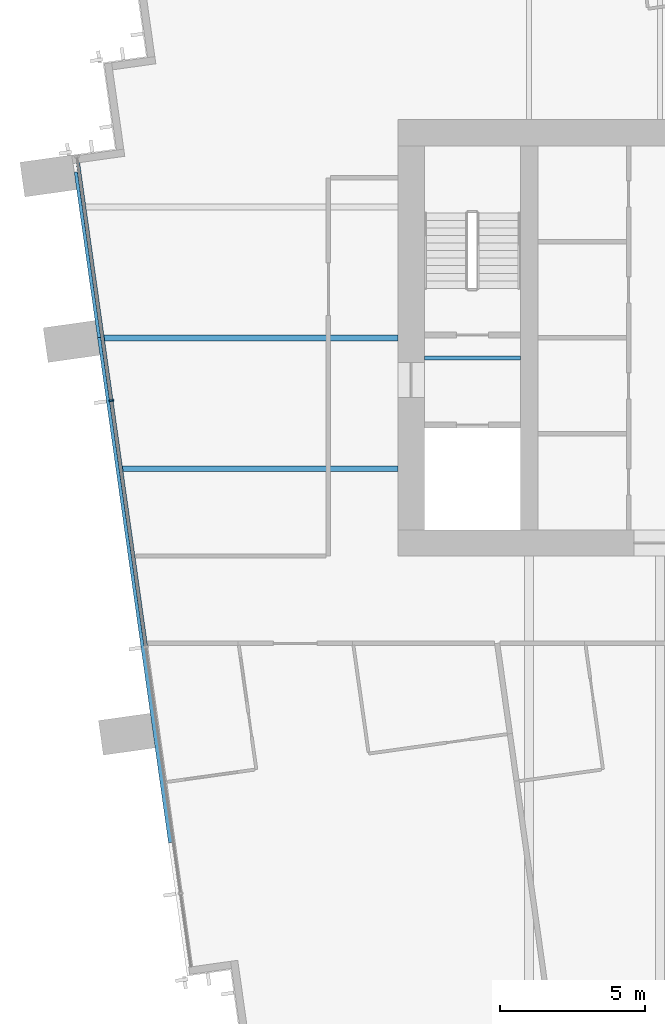
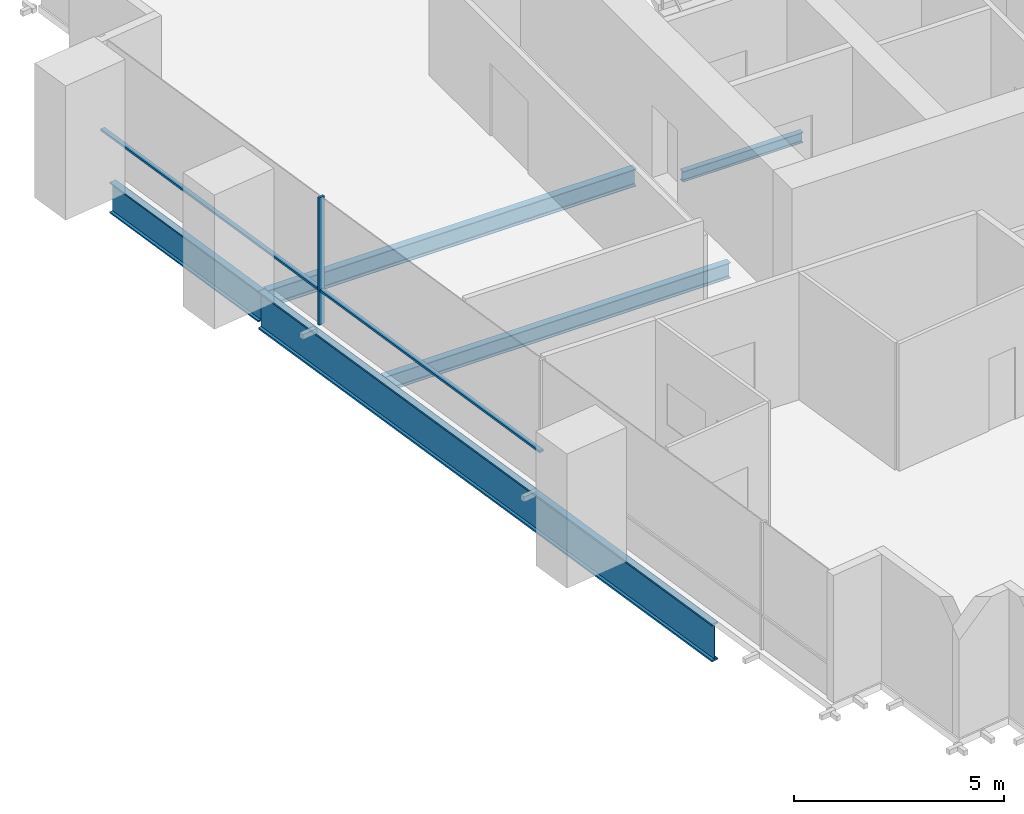
# One storey, part 3 of 14: 5 beams, 3 members, 1 element without a shape of its own.
"""IFC4 building model written with IfcOpenShell, lengths in metres."""

import ifcopenshell
import ifcopenshell.guid

model = None  # the IFC model being written
_history = None  # IfcOwnerHistory: only IFC2X3 demands one
_inside = {}  # id of a spatial element -> (the spatial element, [elements in it])
_under = {}  # id of a project, library or spatial element -> (it, [spatial elements below it])
_declared = {}  # id of a project -> (the project, [libraries it declares])
_typed = {}  # id of a type object -> (the type object, [elements of that type])
_made_of = {}  # id of a material, layer set ... -> (it, [elements and type objects made of it])


def new_model(schema):
    """Start an empty IFC model of exactly this schema.

    Asked for "IFC4X3", IfcOpenShell would pick the latest addendum, in which some entities
    have other attributes; the version numbers below select the first issue.
    IFC2X3 requires an IfcOwnerHistory on every rooted entity: one is made here for all.
    """
    global model, _history
    if schema == "IFC4X3":
        model = ifcopenshell.file(schema_version=(4, 3, 0, 0))
    else:
        model = ifcopenshell.file(schema=schema)
    _inside.clear()
    _under.clear()
    _declared.clear()
    _typed.clear()
    _made_of.clear()
    _history = None
    if model.schema == "IFC2X3":
        org = make("IfcOrganization", Name="unknown")
        user = make(
            "IfcPersonAndOrganization",
            ThePerson=make("IfcPerson", FamilyName="unknown"),
            TheOrganization=org,
        )
        app = make(
            "IfcApplication",
            ApplicationDeveloper=org,
            Version="unknown",
            ApplicationFullName="unknown",
            ApplicationIdentifier="unknown",
        )
        _history = make(
            "IfcOwnerHistory",
            OwningUser=user,
            OwningApplication=app,
            ChangeAction="ADDED",
            CreationDate=0,
        )
    return model


def make(cls, **values):
    """One entity of the class cls with the attributes given. An attribute that is None is left unset."""
    return model.create_entity(
        cls, **{name: value for name, value in values.items() if value is not None}
    )


def rooted(cls, **values):
    """An entity with a GlobalId (a new one), such as an element, a storey or a relation."""
    return make(cls, GlobalId=ifcopenshell.guid.new(), OwnerHistory=_history, **values)


def si_unit(unit_type, name, prefix=None):
    """IfcSIUnit, for example si_unit("LENGTHUNIT", "METRE", prefix="MILLI")."""
    return make("IfcSIUnit", UnitType=unit_type, Prefix=prefix, Name=name)


def assignment(units):
    """IfcUnitAssignment: the units of a project."""
    return None if units is None else make("IfcUnitAssignment", Units=units)


def point(xyz):
    """IfcCartesianPoint."""
    return None if xyz is None else make("IfcCartesianPoint", Coordinates=xyz)


def direction(xyz):
    """IfcDirection."""
    return None if xyz is None else make("IfcDirection", DirectionRatios=xyz)


def frame(location, z_axis=None, x_axis=None):
    """IfcAxis2Placement3D, a coordinate frame: its origin and axes. An axis left out is left unset."""
    return make(
        "IfcAxis2Placement3D",
        Location=point(location),
        Axis=direction(z_axis),
        RefDirection=direction(x_axis),
    )


def frame_2d(location, x_axis=None):
    """IfcAxis2Placement2D, a coordinate frame in the plane: its origin and x axis."""
    return make(
        "IfcAxis2Placement2D", Location=point(location), RefDirection=direction(x_axis)
    )


def origin():
    """The frame at (0, 0, 0) with its axes left unset."""
    return frame((0.0, 0.0, 0.0))


def origin_2d():
    """The frame at (0, 0) in the plane with its x axis left unset."""
    return frame_2d((0.0, 0.0))


def place(relative_to, where):
    """IfcLocalPlacement: puts the frame where relative to a parent placement (None: the world)."""
    return make(
        "IfcLocalPlacement", PlacementRelTo=relative_to, RelativePlacement=where
    )


def context(
    kind, dimensions, precision=None, world=None, true_north=None, identifier=None
):
    """IfcGeometricRepresentationContext, for example the 3D "Model" context."""
    return make(
        "IfcGeometricRepresentationContext",
        ContextIdentifier=identifier,
        ContextType=kind,
        CoordinateSpaceDimension=dimensions,
        Precision=precision,
        WorldCoordinateSystem=world,
        TrueNorth=true_north,
    )


def subcontext(parent, identifier, kind, view, scale=None):
    """IfcGeometricRepresentationSubContext, for example "Body" below "Model"."""
    return make(
        "IfcGeometricRepresentationSubContext",
        ContextIdentifier=identifier,
        ContextType=kind,
        ParentContext=parent,
        TargetScale=scale,
        TargetView=view,
    )


def project(units=None, contexts=None):
    """IfcProject with its units and contexts."""
    return rooted(
        "IfcProject",
        Name="project",
        RepresentationContexts=contexts,
        UnitsInContext=assignment(units),
    )


def spatial(cls, under=None, at=None, **own):
    """A site, building, storey or space (cls), placed at a placement, below another one or the project."""
    s = rooted(cls, ObjectPlacement=at, **own)
    if under is not None:
        _under.setdefault(under.id(), (under, []))[1].append(s)
    return s


def profile(cls, at=None, kind="AREA", **sizes):
    """A parametric profile (cls). Its sizes go by their IFC names, for example OverallWidth=200.0."""
    return make(cls, ProfileType=kind, Position=at, **sizes)


def rectangle(**sizes):
    """IfcRectangleProfileDef."""
    return profile("IfcRectangleProfileDef", **sizes)


def i_section(**sizes):
    """IfcIShapeProfileDef."""
    return profile("IfcIShapeProfileDef", **sizes)


def extrude(swept, where, along, depth):
    """IfcExtrudedAreaSolid: the profile swept, set in the frame where, extruded along a direction by depth."""
    return make(
        "IfcExtrudedAreaSolid",
        SweptArea=swept,
        Position=where,
        ExtrudedDirection=direction(along),
        Depth=depth,
    )


def shape(context_of_items, identifier, shape_type, items):
    """IfcShapeRepresentation: the items that make up one representation, for example the "Body"."""
    return make(
        "IfcShapeRepresentation",
        ContextOfItems=context_of_items,
        RepresentationIdentifier=identifier,
        RepresentationType=shape_type,
        Items=items,
    )


def material(Name=None, Category=None):
    """IfcMaterial."""
    return make("IfcMaterial", Name=Name, Category=Category)


def material_profile(
    of_material, cross_section, Name=None, Category=None, Priority=None
):
    """IfcMaterialProfile: a cross section and its material."""
    return make(
        "IfcMaterialProfile",
        Name=Name,
        Material=of_material,
        Profile=cross_section,
        Priority=Priority,
        Category=Category,
    )


def profile_set(profiles, Name=None, composite=None):
    """IfcMaterialProfileSet."""
    return make(
        "IfcMaterialProfileSet",
        Name=Name,
        MaterialProfiles=profiles,
        CompositeProfile=composite,
    )


def made_of(thing, what):
    """Note that an element or type object is made of a material, layer set ...; save() writes the relation."""
    if what is not None:
        _made_of.setdefault(what.id(), (what, []))[1].append(thing)
    return thing


def type_object(cls, material=None, **own):
    """A type object (cls), such as IfcWallType, which elements share."""
    return made_of(rooted(cls, **own), material)


def element(
    cls,
    number,
    at=None,
    inside=None,
    cuts=None,
    type_object=None,
    material=None,
    context=None,
    identifier="Body",
    shape_type=None,
    held_by="IfcProductDefinitionShape",
    body=None,
    shapes=None,
    **own,
):
    """One element of the class cls, such as IfcWall. Its Tag is "e" and its number.

    at: its placement. inside: the storey or other place that contains it. cuts: it is an
    opening in that element (IfcRelVoidsElement). A single representation is given by context,
    identifier, shape_type and body (its items); several are given by shapes. held_by: the class
    of the entity that holds the representations. save() writes the other relations.
    """
    e = rooted(cls, Tag="e%d" % number, ObjectPlacement=at, **own)
    if body is not None:
        shapes = [shape(context, identifier, shape_type, body)]
    if shapes is not None:
        e.Representation = make(held_by, Representations=shapes)
    if inside is not None:
        _inside.setdefault(inside.id(), (inside, []))[1].append(e)
    if cuts is not None:
        rooted(
            "IfcRelVoidsElement", RelatingBuildingElement=cuts, RelatedOpeningElement=e
        )
    if type_object is not None:
        _typed.setdefault(type_object.id(), (type_object, []))[1].append(e)
    return made_of(e, material)


def aggregate(whole, parts):
    """IfcRelAggregates: a whole, such as a stair, and the parts it consists of."""
    return rooted("IfcRelAggregates", RelatingObject=whole, RelatedObjects=parts)


def save(model, path):
    """Write the relations noted so far, then the file.

    IfcRelAggregates (storeys below a building ...), IfcRelContainedInSpatialStructure (elements
    in a storey), IfcRelDefinesByType, IfcRelAssociatesMaterial and IfcRelDeclares: one each for
    every whole, place, type object, material and project.
    """
    for whole, parts in _under.values():
        aggregate(whole, parts)
    for where, things in _inside.values():
        rooted(
            "IfcRelContainedInSpatialStructure",
            RelatedElements=things,
            RelatingStructure=where,
        )
    for kind, things in _typed.values():
        rooted("IfcRelDefinesByType", RelatedObjects=things, RelatingType=kind)
    for what, things in _made_of.values():
        rooted("IfcRelAssociatesMaterial", RelatedObjects=things, RelatingMaterial=what)
    for by, libraries in _declared.values():
        rooted("IfcRelDeclares", RelatingContext=by, RelatedDefinitions=libraries)
    model.write(path)


model = new_model("IFC4")

# Units and contexts
model_context = context("Model", 3, precision=1e-05, world=origin(), true_north=direction((0.0, 1.0)))
body_context = subcontext(model_context, "Body", "Model", "MODEL_VIEW")
ifc_project = project(units=[si_unit("LENGTHUNIT", "METRE"), si_unit("AREAUNIT", "SQUARE_METRE"), si_unit("VOLUMEUNIT", "CUBIC_METRE"), si_unit("PLANEANGLEUNIT", "RADIAN"), si_unit("MASSUNIT", "GRAM", prefix="KILO")], contexts=[model_context])

# Site, building, storey
site_placement = place(None, origin())
site = spatial("IfcSite", under=ifc_project, at=site_placement, CompositionType="ELEMENT")
building_placement = place(site_placement, origin())
building = spatial("IfcBuilding", under=site, at=building_placement, Name="Rattan Terrace Tower", CompositionType="ELEMENT")
storey_placement = place(building_placement, frame((0.0, 0.0, 172.39990234375)))
storey = spatial("IfcBuildingStorey", under=building, at=storey_placement, Name="L39", CompositionType="ELEMENT", Elevation=172.39990234375)

# Curtain wall, members
ifc_material_1 = material(Name="Aluminium and glass", Category="aluminium")
curtain_wall_type = type_object("IfcCurtainWallType", Name="Facade Unitised Curtain Wall", PredefinedType="NOTDEFINED", material=ifc_material_1)
curtain_wall_placement = place(storey_placement, origin())
curtain_wall = element("IfcCurtainWall", 1, at=curtain_wall_placement, inside=storey, type_object=curtain_wall_type, Name="Curtain wall L39-3", PredefinedType="NOTDEFINED")
ifc_material_2 = material(Name="Aluminium", Category="aluminium")
ifc_material_profile_1 = material_profile(ifc_material_2, rectangle(XDim=0.06005859375, YDim=0.159912109375, at=origin_2d()), Name="Aluminium 60x160")
ifc_profile_set_1 = profile_set([ifc_material_profile_1], Name="Aluminium")
member_type_1 = type_object("IfcMemberType", Name="Facade CW Mullion 60x160", PredefinedType="MULLION", material=ifc_profile_set_1)
member_1_placement = place(storey_placement, frame((-27.857666015625, -2.1591796875, 0.0), z_axis=(0.0, 0.0, 1.0), x_axis=(0.139190856006, -0.99026557327, 0.0)))
member_1 = element("IfcMember", 2, at=member_1_placement, type_object=member_type_1, Name="Mullion cwl-L39-003.2", PredefinedType="MULLION", context=body_context, shape_type="SweptSolid", body=[
    extrude(rectangle(XDim=0.06005859375, YDim=0.159912109375, at=origin_2d()), origin(), (0.0, 0.0, 1.0), 3.7001953125),
])
ifc_material_3 = material(Name="Aluminium", Category="aluminium")
ifc_material_profile_2 = material_profile(ifc_material_3, rectangle(XDim=0.1201171875, YDim=0.06005859375, at=origin_2d()), Name="Aluminium 120x60")
ifc_profile_set_2 = profile_set([ifc_material_profile_2], Name="Aluminium")
member_type_2 = type_object("IfcMemberType", Name="Facade CW Transom 120x60", PredefinedType="USERDEFINED", material=ifc_profile_set_2)
member_2_placement = place(storey_placement, frame((-29.032958984375, 6.20361328125, 1.0), z_axis=(0.139174814558, -0.99026782791, 0.0), x_axis=(0.99026782791, 0.139174814558, 0.0)))
member_2 = element("IfcMember", 3, at=member_2_placement, type_object=member_type_2, Name="Transom cwl-L39-003.1", ObjectType="TRANSOM", PredefinedType="USERDEFINED", context=body_context, shape_type="SweptSolid", body=[
    extrude(rectangle(XDim=0.1201171875, YDim=0.06005859375, at=origin_2d()), origin(), (0.0, 0.0, 1.0), 8.414794921875),
])
member_3_placement = place(storey_placement, frame((-27.853515625, -2.188720703125, 1.0), z_axis=(0.139206806234, -0.990263331189, 0.0), x_axis=(0.990263331189, 0.139206806234, 0.0)))
member_3 = element("IfcMember", 4, at=member_3_placement, type_object=member_type_2, Name="Transom cwl-L39-003.2", ObjectType="TRANSOM", PredefinedType="USERDEFINED", context=body_context, shape_type="SweptSolid", body=[
    extrude(rectangle(XDim=0.1201171875, YDim=0.06005859375, at=origin_2d()), origin(), (0.0, 0.0, 1.0), 8.490234375),
])
aggregate(curtain_wall, [member_1, member_2, member_3])

# Beams
ifc_material_4 = material(Name="Steel S460", Category="steel")
ifc_material_profile_3 = material_profile(ifc_material_4, i_section(OverallWidth=0.179931640625, OverallDepth=1.10009765625, WebThickness=0.01611328125, FlangeThickness=0.050048828125, at=origin_2d()), Name="PG 1100x180-16-50")
ifc_profile_set_3 = profile_set([ifc_material_profile_3], Name="Steel S460")
beam_type_1 = type_object("IfcBeamType", Name="Frame edge girder PG 1100x180-16-50", PredefinedType="SPANDREL", material=ifc_profile_set_3)
beam_1_placement = place(storey_placement, frame((-25.803955078125, -17.347900390625, -0.75), z_axis=(-0.13917502981, 0.990267797657, 0.0), x_axis=(-0.990267797657, -0.13917502981, 0.0)))
element("IfcBeam", 5, at=beam_1_placement, inside=storey, type_object=beam_type_1, Name="gdr-L39-003", PredefinedType="SPANDREL", context=body_context, shape_type="SweptSolid", body=[
    extrude(i_section(OverallWidth=0.179931640625, OverallDepth=1.10009765625, WebThickness=0.01611328125, FlangeThickness=0.050048828125, at=origin_2d()), origin(), (0.0, 0.0, 1.0), 17.531494140625),
])
ifc_material_5 = material(Name="Steel S460", Category="steel")
ifc_material_profile_4 = material_profile(ifc_material_5, i_section(OverallWidth=0.179931640625, OverallDepth=0.89990234375, WebThickness=0.013916015625, FlangeThickness=0.0400390625, at=origin_2d()), Name="PG 900x180-14-40")
ifc_profile_set_4 = profile_set([ifc_material_profile_4], Name="Steel S460")
beam_type_2 = type_object("IfcBeamType", Name="Frame edge girder PG 900x180-14-40", PredefinedType="SPANDREL", material=ifc_profile_set_4)
beam_2_placement = place(storey_placement, frame((-29.0439453125, 5.702880859375, -0.64990234375), z_axis=(0.139237904773, -0.990258958997, 0.0), x_axis=(0.990258958997, 0.139237904773, 0.0)))
element("IfcBeam", 6, at=beam_2_placement, inside=storey, type_object=beam_type_2, Name="gdr-L39-004", PredefinedType="SPANDREL", context=body_context, shape_type="SweptSolid", body=[
    extrude(i_section(OverallWidth=0.179931640625, OverallDepth=0.89990234375, WebThickness=0.013916015625, FlangeThickness=0.0400390625, at=origin_2d()), origin(), (0.0, 0.0, 1.0), 5.745849609375),
])
ifc_material_6 = material(Name="Steel S355", Category="steel")
ifc_material_profile_5 = material_profile(ifc_material_6, i_section(OverallWidth=0.14990234375, OverallDepth=0.300048828125, WebThickness=0.007080078125, FlangeThickness=0.0107421875, FilletRadius=0.014892578125, at=origin_2d()), Name="IPE 300")
ifc_profile_set_5 = profile_set([ifc_material_profile_5], Name="Steel S355")
beam_type_3 = type_object("IfcBeamType", Name="Frame floor beam IPE 300", PredefinedType="JOIST", material=ifc_profile_set_5)
beam_3_placement = place(storey_placement, frame((-17.10009765625, -0.695068359375, -0.349853515625), z_axis=(1.0, 0.0, 0.0), x_axis=(0.0, 1.0, 0.0)))
element("IfcBeam", 7, at=beam_3_placement, inside=storey, type_object=beam_type_3, Name="bm-L39-001", PredefinedType="JOIST", context=body_context, shape_type="SweptSolid", body=[
    extrude(i_section(OverallWidth=0.14990234375, OverallDepth=0.300048828125, WebThickness=0.007080078125, FlangeThickness=0.0107421875, FilletRadius=0.014892578125, at=origin_2d()), origin(), (0.0, 0.0, 1.0), 3.300048828125),
])
ifc_material_7 = material(Name="Steel S355", Category="steel")
ifc_material_profile_6 = material_profile(ifc_material_7, i_section(OverallWidth=0.18994140625, OverallDepth=0.449951171875, WebThickness=0.009521484375, FlangeThickness=0.0146484375, FilletRadius=0.02099609375, at=origin_2d()), Name="IPE 450")
ifc_profile_set_6 = profile_set([ifc_material_profile_6], Name="Steel S355")
beam_type_4 = type_object("IfcBeamType", Name="Frame floor beam IPE 450", PredefinedType="JOIST", material=ifc_profile_set_6)
beam_4_placement = place(storey_placement, frame((-27.5048828125, -4.5, -0.4248046875), z_axis=(1.0, 0.0, 0.0), x_axis=(0.0, 1.0, 0.0)))
element("IfcBeam", 8, at=beam_4_placement, inside=storey, type_object=beam_type_4, Name="bm-L39-010", PredefinedType="JOIST", context=body_context, shape_type="SweptSolid", body=[
    extrude(i_section(OverallWidth=0.18994140625, OverallDepth=0.449951171875, WebThickness=0.009521484375, FlangeThickness=0.0146484375, FilletRadius=0.02099609375, at=origin_2d()), origin(), (0.0, 0.0, 1.0), 9.5048828125),
])
ifc_material_8 = material(Name="Steel S355", Category="steel")
ifc_material_profile_7 = material_profile(ifc_material_8, i_section(OverallWidth=0.199951171875, OverallDepth=0.5, WebThickness=0.01025390625, FlangeThickness=0.01611328125, FilletRadius=0.02099609375, at=origin_2d()), Name="IPE 500")
ifc_profile_set_7 = profile_set([ifc_material_profile_7], Name="Steel S355")
beam_type_5 = type_object("IfcBeamType", Name="Frame floor beam IPE 500", PredefinedType="JOIST", material=ifc_profile_set_7)
beam_5_placement = place(storey_placement, frame((-28.136962890625, 0.0, -0.449951171875), z_axis=(1.0, 0.0, 0.0), x_axis=(0.0, 1.0, 0.0)))
element("IfcBeam", 9, at=beam_5_placement, inside=storey, type_object=beam_type_5, Name="bm-L39-012", PredefinedType="JOIST", context=body_context, shape_type="SweptSolid", body=[
    extrude(i_section(OverallWidth=0.199951171875, OverallDepth=0.5, WebThickness=0.01025390625, FlangeThickness=0.01611328125, FilletRadius=0.02099609375, at=origin_2d()), origin(), (0.0, 0.0, 1.0), 10.136962890625),
])

save(model, "model.ifc")
